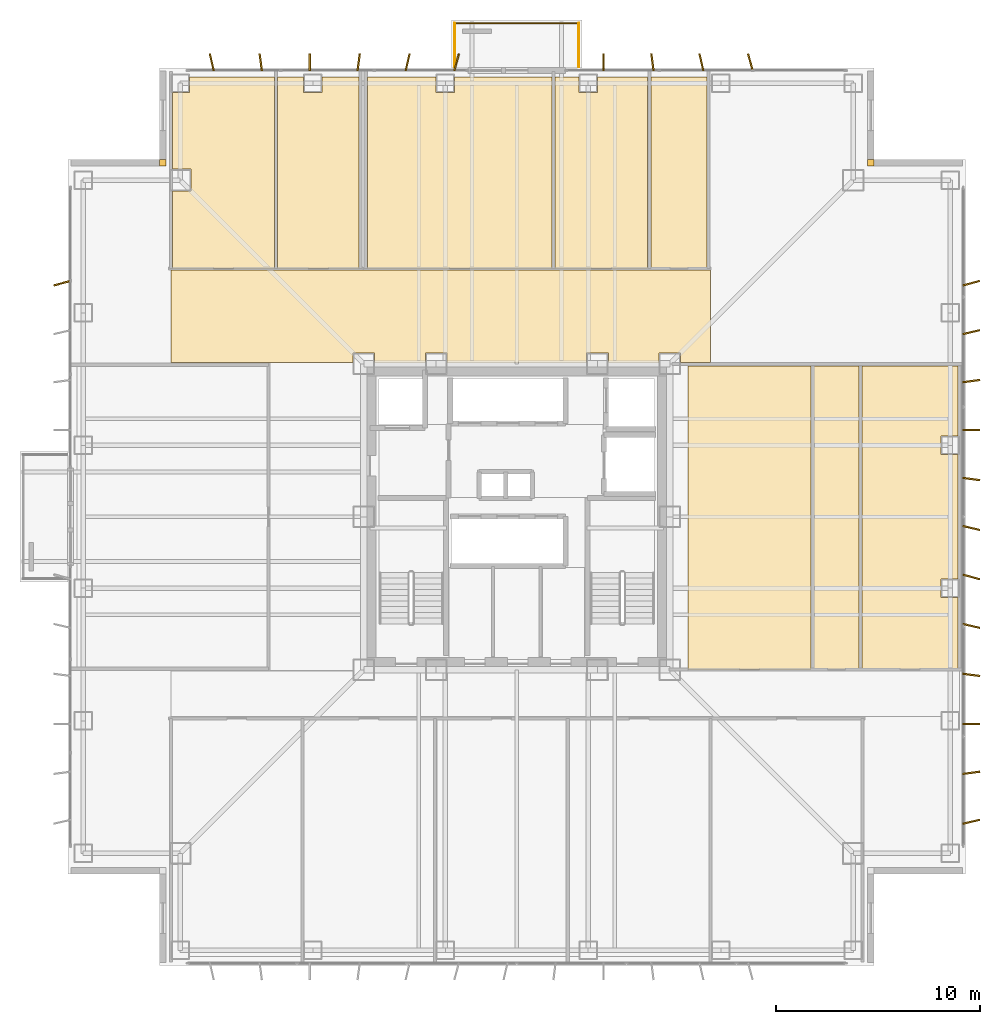
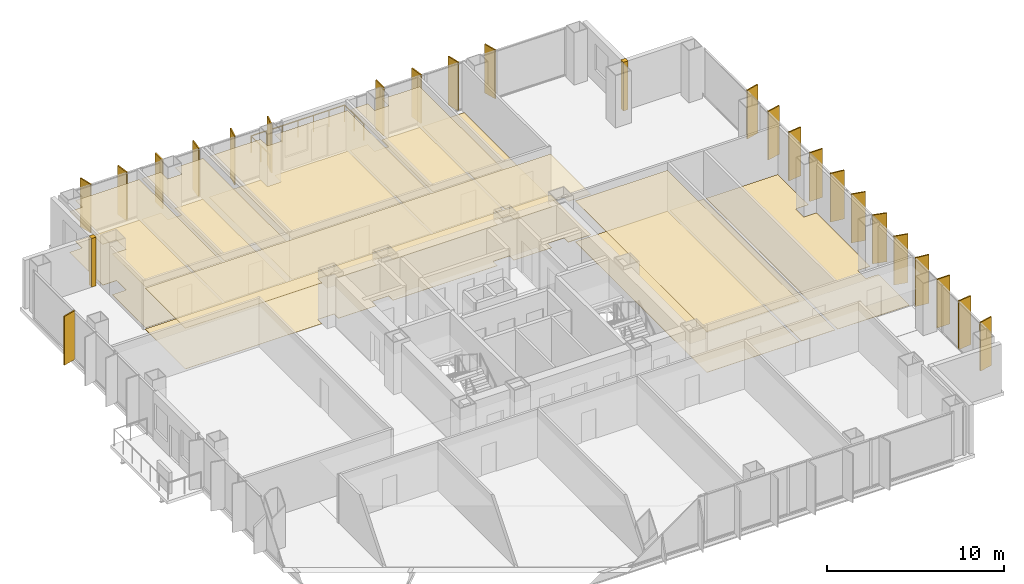
# One storey, part 15 of 15: 23 shading devices, 17 coverings, 3 railings.
"""IFC4 building model written with IfcOpenShell, lengths in metres."""

from ifc_helpers import new_model, si_unit, direction, frame, origin, origin_2d, place, context, subcontext, project, spatial, polyline, rectangle, circle, outline, extrude, material, layer, layer_set, type_object, element, save


model = new_model("IFC4")

# Units and contexts
model_context = context("Model", 3, precision=1e-05, world=origin(), true_north=direction((0.0, 1.0)))
body_context = subcontext(model_context, "Body", "Model", "MODEL_VIEW")
ifc_project = project(units=[si_unit("LENGTHUNIT", "METRE"), si_unit("AREAUNIT", "SQUARE_METRE"), si_unit("VOLUMEUNIT", "CUBIC_METRE"), si_unit("PLANEANGLEUNIT", "RADIAN"), si_unit("MASSUNIT", "GRAM", prefix="KILO")], contexts=[model_context])

# Site, building, storey
site_placement = place(None, origin())
site = spatial("IfcSite", under=ifc_project, at=site_placement, CompositionType="ELEMENT")
building_placement = place(site_placement, origin())
building = spatial("IfcBuilding", under=site, at=building_placement, Name="Trevonay Congress Spire", CompositionType="ELEMENT")
storey_placement = place(building_placement, frame((0.0, 0.0, 115.60009765625)))
storey = spatial("IfcBuildingStorey", under=building, at=storey_placement, Name="L29", CompositionType="ELEMENT", Elevation=115.60009765625)

# Coverings
ifc_material_1 = material(Name="Acoustic Mineral Fibre Board", Category="gypsum")
ifc_layer_1 = layer(ifc_material_1, 0.02490234375, Name="Acoustic Mineral Fibre Board")
ifc_layer_set_1 = layer_set([ifc_layer_1], Name="Acoustic Mineral Fibre Board")
covering_type_1 = type_object("IfcCoveringType", Name="COV-CEIL-ACOUSTIC", PredefinedType="CEILING", material=ifc_layer_set_1)
covering_1_placement = place(storey_placement, frame((0.0, 0.0, 2.809814453125)))
element("IfcCovering", 1, at=covering_1_placement, inside=storey, type_object=covering_type_1, Name="L29 North Sky Promenade Salon acoustic suspended ceiling", PredefinedType="CEILING", context=body_context, shape_type="SweptSolid", body=[
    extrude(outline(polyline([(-16.949951171875, 12.10009765625), (9.5, 12.10009765625), (9.5, 7.550048828125), (8.034912109375, 7.550048828125), (8.034912109375, 8.034912109375), (6.965087890625, 8.034912109375), (6.965087890625, 7.550048828125), (4.485107421875, 7.550048828125), (4.485107421875, 8.034912109375), (3.4150390625, 8.034912109375), (3.4150390625, 7.550048828125), (-3.4150390625, 7.550048828125), (-3.4150390625, 8.034912109375), (-4.485107421875, 8.034912109375), (-4.485107421875, 7.550048828125), (-6.965087890625, 7.550048828125), (-6.965087890625, 8.034912109375), (-8.034912109375, 8.034912109375), (-8.034912109375, 7.56005859375), (-12.110107421875, 7.56005859375), (-12.110107421875, 7.550048828125), (-16.949951171875, 7.550048828125), (-16.949951171875, 12.10009765625)])), origin(), (0.0, 0.0, 1.0), 0.025146484375),
])
covering_2_placement = place(storey_placement, frame((0.0, 0.0, 2.809814453125)))
element("IfcCovering", 2, at=covering_2_placement, inside=storey, type_object=covering_type_1, Name="L29 Archive Registry Office acoustic suspended ceiling", PredefinedType="CEILING", context=body_context, shape_type="SweptSolid", body=[
    extrude(outline(polyline([(-11.8798828125, 21.550048828125), (-11.8798828125, 12.179931640625), (-16.8701171875, 12.179931640625), (-16.8701171875, 15.965087890625), (-15.965087890625, 15.965087890625), (-15.965087890625, 17.034912109375), (-16.8701171875, 17.034912109375), (-16.8701171875, 20.7900390625), (-16.0400390625, 20.7900390625), (-16.0400390625, 21.550048828125), (-11.8798828125, 21.550048828125)])), origin(), (0.0, 0.0, 1.0), 0.025146484375),
])
covering_3_placement = place(storey_placement, frame((0.0, 0.0, 2.809814453125)))
element("IfcCovering", 3, at=covering_3_placement, inside=storey, type_object=covering_type_1, Name="L29 Staff Coffee Kitchen acoustic suspended ceiling", PredefinedType="CEILING", context=body_context, shape_type="SweptSolid", body=[
    extrude(outline(polyline([(-7.72998046875, 21.550048828125), (-7.72998046875, 12.179931640625), (-11.719970703125, 12.179931640625), (-11.719970703125, 21.550048828125), (-10.4599609375, 21.550048828125), (-10.4599609375, 20.7900390625), (-9.5400390625, 20.7900390625), (-9.5400390625, 21.550048828125), (-7.72998046875, 21.550048828125)])), origin(), (0.0, 0.0, 1.0), 0.025146484375),
])
covering_4_placement = place(storey_placement, frame((0.0, 0.0, 2.809814453125)))
element("IfcCovering", 4, at=covering_4_placement, inside=storey, type_object=covering_type_1, Name="L29 North-East Policy Analysts Office acoustic suspended ceiling", PredefinedType="CEILING", context=body_context, shape_type="SweptSolid", body=[
    extrude(outline(polyline([(1.719970703125, 21.550048828125), (1.719970703125, 12.179931640625), (-7.320068359375, 12.179931640625), (-7.320068359375, 21.550048828125), (-3.9599609375, 21.550048828125), (-3.9599609375, 20.7900390625), (-3.0400390625, 20.7900390625), (-3.0400390625, 21.550048828125), (1.719970703125, 21.550048828125)])), origin(), (0.0, 0.0, 1.0), 0.025146484375),
])
covering_5_placement = place(storey_placement, frame((0.0, 0.0, 2.809814453125)))
element("IfcCovering", 5, at=covering_5_placement, inside=storey, type_object=covering_type_1, Name="L29 Project Review Room acoustic suspended ceiling", PredefinedType="CEILING", context=body_context, shape_type="SweptSolid", body=[
    extrude(outline(polyline([(6.419921875, 21.550048828125), (6.419921875, 12.179931640625), (1.8798828125, 12.179931640625), (1.8798828125, 21.550048828125), (3.0400390625, 21.550048828125), (3.0400390625, 20.7900390625), (3.9599609375, 20.7900390625), (3.9599609375, 21.550048828125), (6.419921875, 21.550048828125)])), origin(), (0.0, 0.0, 1.0), 0.025146484375),
])
covering_6_placement = place(storey_placement, frame((0.0, 0.0, 2.809814453125)))
element("IfcCovering", 6, at=covering_6_placement, inside=storey, type_object=covering_type_1, Name="L29 East Secretariat Office acoustic suspended ceiling", PredefinedType="CEILING", context=body_context, shape_type="SweptSolid", body=[
    extrude(outline(polyline([(8.39990234375, -7.47998046875), (14.419921875, -7.47998046875), (14.419921875, 7.39990234375), (8.39990234375, 7.39990234375), (8.39990234375, -7.47998046875)])), origin(), (0.0, 0.0, 1.0), 0.025146484375),
])
ifc_material_2 = material(Name="Polished Granite Floor Tile", Category="masonry")
ifc_layer_2 = layer(ifc_material_2, 0.02001953125, Name="Polished Granite Floor Tile")
ifc_layer_set_2 = layer_set([ifc_layer_2], Name="Polished Granite Floor Tile")
covering_type_2 = type_object("IfcCoveringType", Name="COV-FLOOR-STONE", PredefinedType="FLOORING", material=ifc_layer_set_2)
covering_7_placement = place(storey_placement, origin())
element("IfcCovering", 7, at=covering_7_placement, inside=storey, type_object=covering_type_2, Name="L29 Staff Coffee Kitchen floor finish", PredefinedType="FLOORING", context=body_context, shape_type="SweptSolid", body=[
    extrude(outline(polyline([(-7.72998046875, 21.550048828125), (-7.72998046875, 12.179931640625), (-11.719970703125, 12.179931640625), (-11.719970703125, 21.550048828125), (-10.4599609375, 21.550048828125), (-10.4599609375, 20.7900390625), (-9.5400390625, 20.7900390625), (-9.5400390625, 21.550048828125), (-7.72998046875, 21.550048828125)])), origin(), (0.0, 0.0, 1.0), 0.02001953125),
])
covering_8_placement = place(storey_placement, origin())
element("IfcCovering", 8, at=covering_8_placement, inside=storey, type_object=covering_type_2, Name="L29 Female Restroom WC floor finish", PredefinedType="FLOORING", context=body_context, shape_type="SweptSolid", body=[
    extrude(outline(polyline([(6.580078125, 12.179931640625), (9.320068359375, 12.179931640625), (9.320068359375, 21.550048828125), (6.580078125, 21.550048828125), (6.580078125, 12.179931640625)])), origin(), (0.0, 0.0, 1.0), 0.02001953125),
])
covering_9_placement = place(storey_placement, origin())
element("IfcCovering", 9, at=covering_9_placement, inside=storey, type_object=covering_type_2, Name="L29 Male Restroom WC floor finish", PredefinedType="FLOORING", context=body_context, shape_type="SweptSolid", body=[
    extrude(outline(polyline([(14.580078125, -7.47998046875), (16.77001953125, -7.47998046875), (16.77001953125, 7.39990234375), (14.580078125, 7.39990234375), (14.580078125, -7.47998046875)])), origin(), (0.0, 0.0, 1.0), 0.02001953125),
])
covering_10_placement = place(storey_placement, origin())
element("IfcCovering", 10, at=covering_10_placement, inside=storey, type_object=covering_type_2, Name="L29 Floor Supplies and Copy Room floor finish", PredefinedType="FLOORING", context=body_context, shape_type="SweptSolid", body=[
    extrude(outline(polyline([(21.6201171875, -7.47998046875), (16.929931640625, -7.47998046875), (16.929931640625, 7.39990234375), (21.6201171875, 7.39990234375), (21.6201171875, 3.9599609375), (20.7900390625, 3.9599609375), (20.7900390625, 3.0400390625), (21.6201171875, 3.0400390625), (21.6201171875, -3.0400390625), (20.7900390625, -3.0400390625), (20.7900390625, -3.9599609375), (21.6201171875, -3.9599609375), (21.6201171875, -7.47998046875)])), origin(), (0.0, 0.0, 1.0), 0.02001953125),
])
ifc_material_3 = material(Name="Engineered Oak Flooring", Category="wood")
ifc_layer_3 = layer(ifc_material_3, 0.01806640625, Name="Engineered Oak Flooring")
ifc_layer_set_3 = layer_set([ifc_layer_3], Name="Engineered Oak Flooring")
covering_type_3 = type_object("IfcCoveringType", Name="COV-FLOOR-TIMBER", PredefinedType="FLOORING", material=ifc_layer_set_3)
covering_11_placement = place(storey_placement, origin())
element("IfcCovering", 11, at=covering_11_placement, inside=storey, type_object=covering_type_3, Name="L29 North Sky Promenade Salon floor finish", PredefinedType="FLOORING", context=body_context, shape_type="SweptSolid", body=[
    extrude(outline(polyline([(-16.949951171875, 12.10009765625), (9.5, 12.10009765625), (9.5, 7.550048828125), (8.034912109375, 7.550048828125), (8.034912109375, 8.034912109375), (6.965087890625, 8.034912109375), (6.965087890625, 7.550048828125), (4.485107421875, 7.550048828125), (4.485107421875, 8.034912109375), (3.4150390625, 8.034912109375), (3.4150390625, 7.550048828125), (-3.4150390625, 7.550048828125), (-3.4150390625, 8.034912109375), (-4.485107421875, 8.034912109375), (-4.485107421875, 7.550048828125), (-6.965087890625, 7.550048828125), (-6.965087890625, 8.034912109375), (-8.034912109375, 8.034912109375), (-8.034912109375, 7.56005859375), (-12.110107421875, 7.56005859375), (-12.110107421875, 7.550048828125), (-16.949951171875, 7.550048828125), (-16.949951171875, 12.10009765625)])), origin(), (0.0, 0.0, 1.0), 0.017822265625),
])
covering_12_placement = place(storey_placement, origin())
element("IfcCovering", 12, at=covering_12_placement, inside=storey, type_object=covering_type_3, Name="L29 Archive Registry Office floor finish", PredefinedType="FLOORING", context=body_context, shape_type="SweptSolid", body=[
    extrude(outline(polyline([(-11.8798828125, 21.550048828125), (-11.8798828125, 12.179931640625), (-16.8701171875, 12.179931640625), (-16.8701171875, 15.965087890625), (-15.965087890625, 15.965087890625), (-15.965087890625, 17.034912109375), (-16.8701171875, 17.034912109375), (-16.8701171875, 20.7900390625), (-16.0400390625, 20.7900390625), (-16.0400390625, 21.550048828125), (-11.8798828125, 21.550048828125)])), origin(), (0.0, 0.0, 1.0), 0.017822265625),
])
covering_13_placement = place(storey_placement, origin())
element("IfcCovering", 13, at=covering_13_placement, inside=storey, type_object=covering_type_3, Name="L29 North-East Policy Analysts Office floor finish", PredefinedType="FLOORING", context=body_context, shape_type="SweptSolid", body=[
    extrude(outline(polyline([(1.719970703125, 21.550048828125), (1.719970703125, 12.179931640625), (-7.320068359375, 12.179931640625), (-7.320068359375, 21.550048828125), (-3.9599609375, 21.550048828125), (-3.9599609375, 20.7900390625), (-3.0400390625, 20.7900390625), (-3.0400390625, 21.550048828125), (1.719970703125, 21.550048828125)])), origin(), (0.0, 0.0, 1.0), 0.017822265625),
])
covering_14_placement = place(storey_placement, origin())
element("IfcCovering", 14, at=covering_14_placement, inside=storey, type_object=covering_type_3, Name="L29 Project Review Room floor finish", PredefinedType="FLOORING", context=body_context, shape_type="SweptSolid", body=[
    extrude(outline(polyline([(6.419921875, 21.550048828125), (6.419921875, 12.179931640625), (1.8798828125, 12.179931640625), (1.8798828125, 21.550048828125), (3.0400390625, 21.550048828125), (3.0400390625, 20.7900390625), (3.9599609375, 20.7900390625), (3.9599609375, 21.550048828125), (6.419921875, 21.550048828125)])), origin(), (0.0, 0.0, 1.0), 0.017822265625),
])
covering_15_placement = place(storey_placement, origin())
element("IfcCovering", 15, at=covering_15_placement, inside=storey, type_object=covering_type_3, Name="L29 East Secretariat Office floor finish", PredefinedType="FLOORING", context=body_context, shape_type="SweptSolid", body=[
    extrude(outline(polyline([(8.39990234375, -7.47998046875), (14.419921875, -7.47998046875), (14.419921875, 7.39990234375), (8.39990234375, 7.39990234375), (8.39990234375, -7.47998046875)])), origin(), (0.0, 0.0, 1.0), 0.017822265625),
])
ifc_material_4 = material(Name="Pale Anodised Aluminium EN AW-6063-T6", Category="aluminium")
ifc_layer_4 = layer(ifc_material_4, 0.0400390625, Name="Pale Anodised Aluminium EN AW-6063-T6")
ifc_layer_set_4 = layer_set([ifc_layer_4], Name="Pale Anodised Aluminium EN AW-6063-T6")
covering_type_4 = type_object("IfcCoveringType", Name="COV-SPANDREL-PALE-METAL", PredefinedType="CLADDING", material=ifc_layer_set_4)
covering_16_placement = place(storey_placement, origin())
element("IfcCovering", 16, at=covering_16_placement, inside=storey, type_object=covering_type_4, Name="L29 NE re-entrant notch corner closure trim", PredefinedType="CLADDING", context=body_context, shape_type="SweptSolid", body=[
    extrude(outline(polyline([(17.199951171875, 17.199951171875), (17.5, 17.199951171875), (17.5, 17.5), (17.199951171875, 17.5), (17.199951171875, 17.199951171875)])), origin(), (0.0, 0.0, 1.0), 3.35986328125),
])
covering_17_placement = place(storey_placement, origin())
element("IfcCovering", 17, at=covering_17_placement, inside=storey, type_object=covering_type_4, Name="L29 NW re-entrant notch corner closure trim", PredefinedType="CLADDING", context=body_context, shape_type="SweptSolid", body=[
    extrude(outline(polyline([(-17.5, 17.199951171875), (-17.199951171875, 17.199951171875), (-17.199951171875, 17.5), (-17.5, 17.5), (-17.5, 17.199951171875)])), origin(), (0.0, 0.0, 1.0), 3.35986328125),
])

# Railings
railing_type = type_object("IfcRailingType", Name="RAL-EXT-GUARD-115", PredefinedType="GUARDRAIL", material=ifc_material_4)
railing_1_placement = place(storey_placement, frame((-3.050048828125, 22.050048828125, 0.0)))
element("IfcRailing", 18, at=railing_1_placement, inside=storey, type_object=railing_type, Name="L29 perimeter safety guard GRD-L29-TBAL-N-1", PredefinedType="GUARDRAIL", context=body_context, shape_type="SweptSolid", body=[
    extrude(circle(Radius=0.02392578125, at=origin_2d()), frame((0.0, 0.0, 1.1259765625), z_axis=(0.0, 1.0, 0.0), x_axis=(-1.0, 0.0, 0.0)), (0.0, 0.0, 1.0), 2.14990234375),
    extrude(circle(Radius=0.02099609375, at=origin_2d()), origin(), (0.0, 0.0, 1.0), 1.101806640625),
    extrude(circle(Radius=0.02099609375, at=origin_2d()), frame((0.0, 1.074951171875, 0.0)), (0.0, 0.0, 1.0), 1.101806640625),
    extrude(circle(Radius=0.02099609375, at=origin_2d()), frame((0.0, 2.14990234375, 0.0)), (0.0, 0.0, 1.0), 1.101806640625),
])
railing_2_placement = place(storey_placement, frame((-3.050048828125, 24.199951171875, 0.0)))
element("IfcRailing", 19, at=railing_2_placement, inside=storey, type_object=railing_type, Name="L29 perimeter safety guard GRD-L29-TBAL-N-2", PredefinedType="GUARDRAIL", context=body_context, shape_type="SweptSolid", body=[
    extrude(circle(Radius=0.02392578125, at=origin_2d()), frame((0.0, 0.0, 1.1259765625), z_axis=(1.0, 0.0, 0.0), x_axis=(0.0, 1.0, 0.0)), (0.0, 0.0, 1.0), 6.10009765625),
    extrude(circle(Radius=0.02099609375, at=origin_2d()), origin(), (0.0, 0.0, 1.0), 1.101806640625),
    extrude(circle(Radius=0.02099609375, at=origin_2d()), frame((1.0166015625, 0.0, 0.0)), (0.0, 0.0, 1.0), 1.101806640625),
    extrude(circle(Radius=0.02099609375, at=origin_2d()), frame((2.033447265625, 0.0, 0.0)), (0.0, 0.0, 1.0), 1.101806640625),
    extrude(circle(Radius=0.02099609375, at=origin_2d()), frame((3.050048828125, 0.0, 0.0)), (0.0, 0.0, 1.0), 1.101806640625),
    extrude(circle(Radius=0.02099609375, at=origin_2d()), frame((4.066650390625, 0.0, 0.0)), (0.0, 0.0, 1.0), 1.101806640625),
    extrude(circle(Radius=0.02099609375, at=origin_2d()), frame((5.08349609375, 0.0, 0.0)), (0.0, 0.0, 1.0), 1.101806640625),
    extrude(circle(Radius=0.02099609375, at=origin_2d()), frame((6.10009765625, 0.0, 0.0)), (0.0, 0.0, 1.0), 1.101806640625),
])
railing_3_placement = place(storey_placement, frame((3.050048828125, 24.199951171875, 0.0)))
element("IfcRailing", 20, at=railing_3_placement, inside=storey, type_object=railing_type, Name="L29 perimeter safety guard GRD-L29-TBAL-N-3", PredefinedType="GUARDRAIL", context=body_context, shape_type="SweptSolid", body=[
    extrude(circle(Radius=0.02392578125, at=origin_2d()), frame((0.0, 0.0, 1.1259765625), z_axis=(0.0, -1.0, 0.0), x_axis=(1.0, 0.0, 0.0)), (0.0, 0.0, 1.0), 2.14990234375),
    extrude(circle(Radius=0.02099609375, at=origin_2d()), origin(), (0.0, 0.0, 1.0), 1.101806640625),
    extrude(circle(Radius=0.02099609375, at=origin_2d()), frame((0.0, -1.074951171875, 0.0)), (0.0, 0.0, 1.0), 1.101806640625),
    extrude(circle(Radius=0.02099609375, at=origin_2d()), frame((0.0, -2.14990234375, 0.0)), (0.0, 0.0, 1.0), 1.101806640625),
])

# Shading devices
shading_device_type = type_object("IfcShadingDeviceType", Name="SHD-FIN-Z2-PALE-METAL", PredefinedType="USERDEFINED", material=ifc_material_4)
for number, where, z_axis, x_axis, name in (
    (21, (-14.949951171875, 22.280029296875, 0.0), (0.0, 0.0, 1.0), (0.97440931131, 0.224780991261, 0.0), "L29 N vertical pale-metal solar fin 1"),
    (22, (-12.550048828125, 22.280029296875, 0.0), (0.0, 0.0, 1.0), (0.991444861374, 0.13052619222, 0.0), "L29 N vertical pale-metal solar fin 2"),
    (23, (-10.14990234375, 22.280029296875, 0.0), (0.0, 0.0, 1.0), (1.0, 0.0, 0.0), "L29 N vertical pale-metal solar fin 3"),
    (24, (-7.75, 22.280029296875, 0.0), (0.0, 0.0, 1.0), (0.991444861374, -0.13052619222, 0.0), "L29 N vertical pale-metal solar fin 4"),
    (25, (-5.35009765625, 22.280029296875, 0.0), (0.0, 0.0, 1.0), (0.97440931131, -0.224780991261, 0.0), "L29 N vertical pale-metal solar fin 5"),
    (26, (-2.949951171875, 22.280029296875, 0.0), (0.0, 0.0, 1.0), (0.965925826289, -0.258819045103, 0.0), "L29 N vertical pale-metal solar fin 6"),
    (27, (4.25, 22.280029296875, 0.0), (0.0, 0.0, 1.0), (1.0, 0.0, 0.0), "L29 N vertical pale-metal solar fin 9"),
    (28, (6.64990234375, 22.280029296875, 0.0), (0.0, 0.0, 1.0), (0.991444861374, 0.13052619222, 0.0), "L29 N vertical pale-metal solar fin 10"),
    (29, (9.050048828125, 22.280029296875, 0.0), (0.0, 0.0, 1.0), (0.97440931131, 0.224780991261, 0.0), "L29 N vertical pale-metal solar fin 11"),
    (30, (11.449951171875, 22.280029296875, 0.0), (0.0, 0.0, 1.0), (0.965925826289, 0.258819045103, 0.0), "L29 N vertical pale-metal solar fin 12"),
    (31, (-22.280029296875, 11.449951171875, 0.0), (0.0, 0.0, 1.0), (-0.258819045103, 0.965925826289, 0.0), "L29 W vertical pale-metal solar fin 12"),
    (32, (22.280029296875, -14.949951171875, 0.0), (0.0, 0.0, 1.0), (-0.224780991261, 0.97440931131, 0.0), "L29 E vertical pale-metal solar fin 1"),
    (33, (22.280029296875, -12.550048828125, 0.0), (0.0, 0.0, 1.0), (-0.13052619222, 0.991444861374, 0.0), "L29 E vertical pale-metal solar fin 2"),
    (34, (22.280029296875, -10.14990234375, 0.0), (0.0, 0.0, 1.0), (0.0, 1.0, 0.0), "L29 E vertical pale-metal solar fin 3"),
    (35, (22.280029296875, -7.75, 0.0), (0.0, 0.0, 1.0), (0.13052619222, 0.991444861374, 0.0), "L29 E vertical pale-metal solar fin 4"),
    (36, (22.280029296875, -5.35009765625, 0.0), (0.0, 0.0, 1.0), (0.224780991261, 0.97440931131, 0.0), "L29 E vertical pale-metal solar fin 5"),
    (37, (22.280029296875, -2.949951171875, 0.0), (0.0, 0.0, 1.0), (0.258819045103, 0.965925826289, 0.0), "L29 E vertical pale-metal solar fin 6"),
    (38, (22.280029296875, -0.550048828125, 0.0), (0.0, 0.0, 1.0), (0.224780991261, 0.97440931131, 0.0), "L29 E vertical pale-metal solar fin 7"),
    (39, (22.280029296875, 1.85009765625, 0.0), (0.0, 0.0, 1.0), (0.13052619222, 0.991444861374, 0.0), "L29 E vertical pale-metal solar fin 8"),
    (40, (22.280029296875, 4.25, 0.0), (0.0, 0.0, 1.0), (0.0, 1.0, 0.0), "L29 E vertical pale-metal solar fin 9"),
    (41, (22.280029296875, 6.64990234375, 0.0), (0.0, 0.0, 1.0), (-0.13052619222, 0.991444861374, 0.0), "L29 E vertical pale-metal solar fin 10"),
    (42, (22.280029296875, 9.050048828125, 0.0), (0.0, 0.0, 1.0), (-0.224780991261, 0.97440931131, 0.0), "L29 E vertical pale-metal solar fin 11"),
    (43, (22.280029296875, 11.449951171875, 0.0), (0.0, 0.0, 1.0), (-0.258819045103, 0.965925826289, 0.0), "L29 E vertical pale-metal solar fin 12"),
):
    element("IfcShadingDevice", number, at=place(storey_placement, frame(where, z_axis=z_axis, x_axis=x_axis)), inside=storey, type_object=shading_device_type, Name=name, ObjectType="SOLAR FIN", PredefinedType="USERDEFINED", context=body_context, shape_type="SweptSolid", body=[
        extrude(rectangle(XDim=0.080078125, YDim=0.85009765625, at=origin_2d()), origin(), (0.0, 0.0, 1.0), 3.360107421875),
    ])

save(model, "model.ifc")
